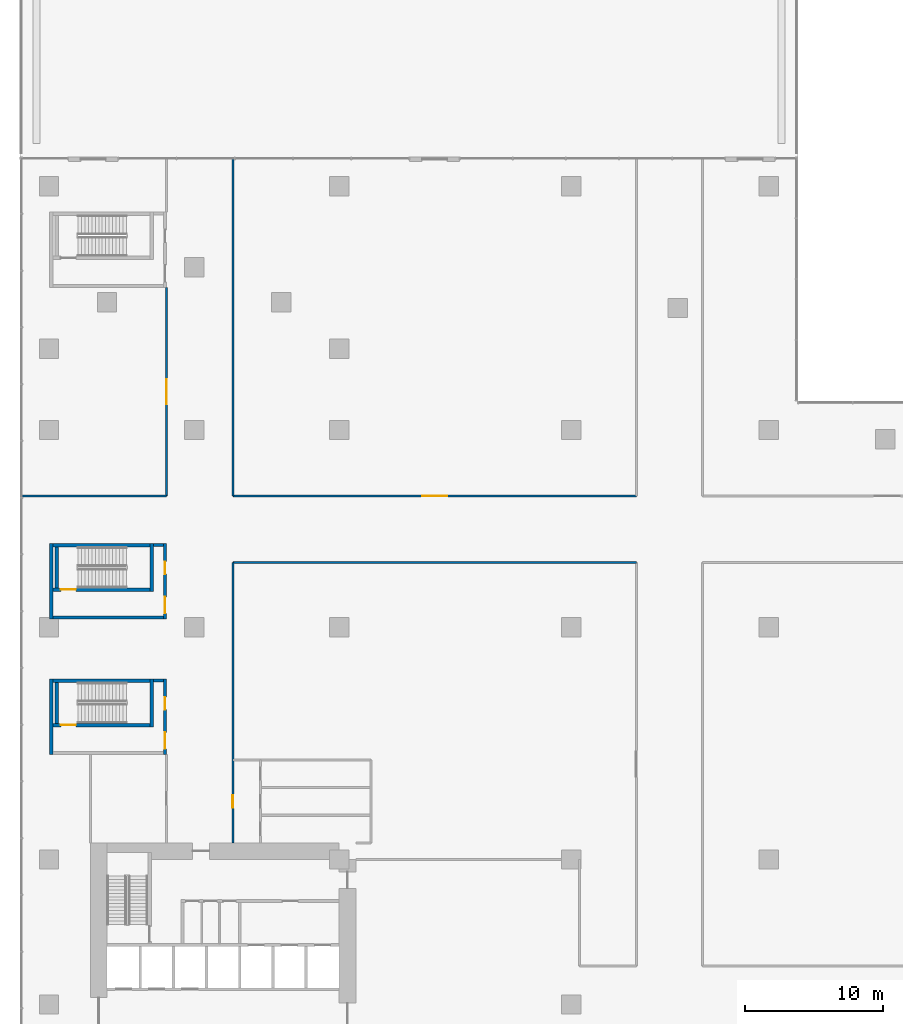
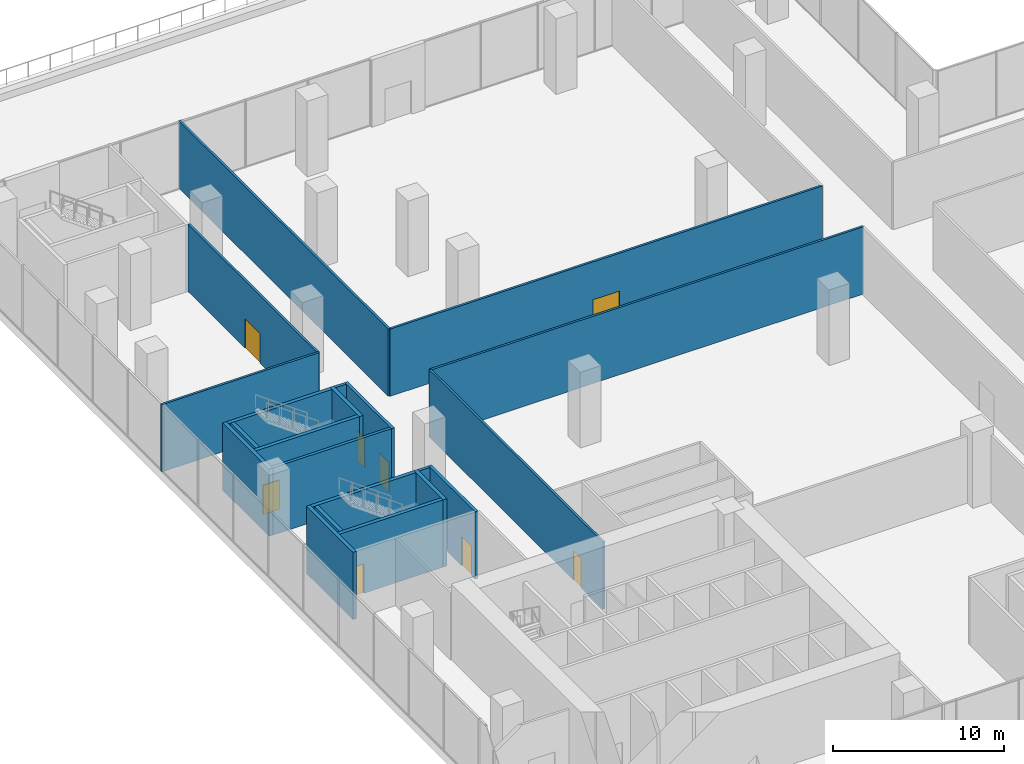
# One storey, part 16 of 24: 21 walls, 9 doors, 9 openings.
"""IFC4 building model written with IfcOpenShell, lengths in metres."""

from ifc_helpers import new_model, si_unit, direction, frame, frame_2d, origin, place, context, subcontext, project, spatial, rectangle, extrude, source, transform, mapped, material, layer, layer_set, type_object, element, fill, save


model = new_model("IFC4")

# Units and contexts
model_context = context("Model", 3, precision=1e-05, world=origin(), true_north=direction((0.0, 1.0)))
body_context = subcontext(model_context, "Body", "Model", "MODEL_VIEW")
ifc_project = project(units=[si_unit("LENGTHUNIT", "METRE"), si_unit("AREAUNIT", "SQUARE_METRE"), si_unit("VOLUMEUNIT", "CUBIC_METRE"), si_unit("PLANEANGLEUNIT", "RADIAN"), si_unit("MASSUNIT", "GRAM", prefix="KILO")], contexts=[model_context])

# Site, building, storey
site_placement = place(None, origin())
site = spatial("IfcSite", under=ifc_project, at=site_placement, CompositionType="ELEMENT")
building_placement = place(site_placement, origin())
building = spatial("IfcBuilding", under=site, at=building_placement, Name="Aurelian Terraces", CompositionType="ELEMENT")
storey_placement = place(building_placement, frame((0.0, 0.0, 12.9)))
storey = spatial("IfcBuildingStorey", under=building, at=storey_placement, Name="L02", CompositionType="ELEMENT", Elevation=12.9)

# Wall
ifc_material_1 = material(Name="Gypsum board on steel studs", Category="steel")
ifc_layer_1 = layer(ifc_material_1, 0.15)
ifc_layer_set_1 = layer_set([ifc_layer_1], Name="Special partition 150")
wall_type_1 = type_object("IfcWallType", Name="Special partition 150", PredefinedType="PARTITIONING", material=ifc_layer_set_1)
wall_1_placement = place(storey_placement, frame((13.3, 47.3, 0.0), z_axis=(0.0, 0.0, 1.0), x_axis=(0.0, 1.0, 0.0)))
element("IfcWall", 1, at=wall_1_placement, inside=storey, type_object=wall_type_1, Name="L02 partition W25", PredefinedType="PARTITIONING", context=body_context, shape_type="SweptSolid", body=[
    extrude(rectangle(XDim=24.52, YDim=0.15, at=frame_2d((12.26, 0.0))), origin(), (0.0, 0.0, 1.0), 4.8),
])

# Wall, opening, door
ifc_material_2 = material(Name="Concrete fc' 40 MPa", Category="concrete")
ifc_layer_2 = layer(ifc_material_2, 0.25)
ifc_layer_set_2 = layer_set([ifc_layer_2], Name="Stair enclosure wall 250")
wall_type_2 = type_object("IfcWallType", Name="Stair enclosure wall 250", PredefinedType="SOLIDWALL", material=ifc_layer_set_2)
shared_shape_1 = source(origin(), body_context, "Body", "SweptSolid", [
    extrude(rectangle(XDim=7.0, YDim=0.25, at=frame_2d((3.5, 0.0))), origin(), (0.0, 0.0, 1.0), 4.8),
])
wall_2_placement = place(storey_placement, frame((0.3, 40.525, 0.0), z_axis=(0.0, 0.0, 1.0), x_axis=(1.0, 0.0, 0.0)))
wall_2 = element("IfcWall", 2, at=wall_2_placement, inside=storey, type_object=wall_type_2, Name="L02 core wall ST-S3-W", PredefinedType="SOLIDWALL", context=body_context, shape_type="MappedRepresentation", body=[
    mapped(shared_shape_1, transform((0.0, 0.0, 0.0), scale=1.0)),
])
shared_shape_2 = source(origin(), body_context, "Body", "SweptSolid", [
    extrude(rectangle(XDim=1.1, YDim=2.1, at=frame_2d((0.55, 1.05))), frame((0.0, 0.135, 0.0), z_axis=(0.0, -1.0, 0.0), x_axis=(1.0, 0.0, 0.0)), (0.0, 0.0, 1.0), 0.27),
])
opening_1_placement = place(wall_2_placement, frame((0.55, 0.0, 0.0)))
opening_1 = element("IfcOpeningElement", 3, at=opening_1_placement, cuts=wall_2, Name="Opening 60518", PredefinedType="OPENING", context=body_context, shape_type="MappedRepresentation", body=[
    mapped(shared_shape_2, transform((0.0, 0.0, 0.0), scale=1.0)),
])
ifc_material_3 = material(Name="Steel door leaf", Category="steel")
door_type_1 = type_object("IfcDoorType", Name="Core fire door 1100x2100 right", OperationType="SINGLE_SWING_RIGHT", PredefinedType="DOOR", material=ifc_material_3)
shared_shape_3 = source(origin(), body_context, "Body", "SweptSolid", [
    extrude(rectangle(XDim=1.1, YDim=2.1, at=frame_2d((0.55, 1.05))), frame((0.0, 0.025, 0.0), z_axis=(0.0, -1.0, 0.0), x_axis=(1.0, 0.0, 0.0)), (0.0, 0.0, 1.0), 0.05),
])
door_1_placement = place(opening_1_placement, origin())
door_1 = element("IfcDoor", 4, at=door_1_placement, inside=storey, type_object=door_type_1, Name="Stair door 60518", OperationType="SINGLE_SWING_RIGHT", OverallHeight=2.1, OverallWidth=1.1, PredefinedType="DOOR", context=body_context, shape_type="MappedRepresentation", body=[
    mapped(shared_shape_3, transform((0.0, 0.0, 0.0), scale=1.0)),
])
fill(opening_1, door_1)

# Wall
wall_3_placement = place(storey_placement, frame((0.3, 43.725, 0.0), z_axis=(0.0, 0.0, 1.0), x_axis=(1.0, 0.0, 0.0)))
element("IfcWall", 5, at=wall_3_placement, inside=storey, type_object=wall_type_2, Name="L02 core wall ST-S3-E", PredefinedType="SOLIDWALL", context=body_context, shape_type="MappedRepresentation", body=[
    mapped(shared_shape_1, transform((0.0, 0.0, 0.0), scale=1.0)),
])

# Wall, opening, door
wall_4_placement = place(storey_placement, frame((0.3, 30.725, 0.0), z_axis=(0.0, 0.0, 1.0), x_axis=(1.0, 0.0, 0.0)))
wall_4 = element("IfcWall", 6, at=wall_4_placement, inside=storey, type_object=wall_type_2, Name="L02 core wall ST-S4-W", PredefinedType="SOLIDWALL", context=body_context, shape_type="MappedRepresentation", body=[
    mapped(shared_shape_1, transform((0.0, 0.0, 0.0), scale=1.0)),
])
opening_2_placement = place(wall_4_placement, frame((0.55, 0.0, 0.0)))
opening_2 = element("IfcOpeningElement", 7, at=opening_2_placement, cuts=wall_4, Name="Opening 60521", PredefinedType="OPENING", context=body_context, shape_type="MappedRepresentation", body=[
    mapped(shared_shape_2, transform((0.0, 0.0, 0.0), scale=1.0)),
])
door_type_2 = type_object("IfcDoorType", Name="Core fire door 1100x2100", OperationType="SINGLE_SWING_LEFT", PredefinedType="DOOR", material=ifc_material_3)
door_2_placement = place(opening_2_placement, origin())
door_2 = element("IfcDoor", 8, at=door_2_placement, inside=storey, type_object=door_type_2, Name="Stair door 60521", OperationType="SINGLE_SWING_LEFT", OverallHeight=2.1, OverallWidth=1.1, PredefinedType="DOOR", context=body_context, shape_type="MappedRepresentation", body=[
    mapped(shared_shape_3, transform((0.0, 0.0, 0.0), scale=1.0)),
])
fill(opening_2, door_2)

# Walls
wall_5_placement = place(storey_placement, frame((0.3, 33.925, 0.0), z_axis=(0.0, 0.0, 1.0), x_axis=(1.0, 0.0, 0.0)))
element("IfcWall", 9, at=wall_5_placement, inside=storey, type_object=wall_type_2, Name="L02 core wall ST-S4-E", PredefinedType="SOLIDWALL", context=body_context, shape_type="MappedRepresentation", body=[
    mapped(shared_shape_1, transform((0.0, 0.0, 0.0), scale=1.0)),
])
shared_shape_4 = source(origin(), body_context, "Body", "SweptSolid", [
    extrude(rectangle(XDim=3.45, YDim=0.25, at=frame_2d((1.725, 0.0))), origin(), (0.0, 0.0, 1.0), 4.8),
])
for number, where, z_axis, x_axis, name in (
    (10, (7.425, 40.4, 0.0), (0.0, 0.0, 1.0), (0.0, 1.0, 0.0), "L02 core wall ST-S3-N"),
    (11, (7.425, 30.6, 0.0), (0.0, 0.0, 1.0), (0.0, 1.0, 0.0), "L02 core wall ST-S4-N"),
):
    element("IfcWall", number, at=place(storey_placement, frame(where, z_axis=z_axis, x_axis=x_axis)), inside=storey, type_object=wall_type_2, Name=name, PredefinedType="SOLIDWALL", context=body_context, shape_type="MappedRepresentation", body=[
        mapped(shared_shape_4, transform((0.0, 0.0, 0.0), scale=1.0)),
    ])
shared_shape_5 = source(origin(), body_context, "Body", "SweptSolid", [
    extrude(rectangle(XDim=2.95, YDim=0.25, at=frame_2d((1.475, 0.0))), origin(), (0.0, 0.0, 1.0), 4.8),
])
for number, where, z_axis, x_axis, name in (
    (12, (0.575, 40.65, 0.0), (0.0, 0.0, 1.0), (0.0, 1.0, 0.0), "L02 core wall ST-S3-SS"),
    (13, (0.575, 30.85, 0.0), (0.0, 0.0, 1.0), (0.0, 1.0, 0.0), "L02 core wall ST-S4-SS"),
):
    element("IfcWall", number, at=place(storey_placement, frame(where, z_axis=z_axis, x_axis=x_axis)), inside=storey, type_object=wall_type_2, Name=name, PredefinedType="SOLIDWALL", context=body_context, shape_type="MappedRepresentation", body=[
        mapped(shared_shape_5, transform((0.0, 0.0, 0.0), scale=1.0)),
    ])
ifc_layer_3 = layer(ifc_material_1, 0.2)
ifc_layer_set_3 = layer_set([ifc_layer_3], Name="Core partition 200")
wall_type_3 = type_object("IfcWallType", Name="Core partition 200", PredefinedType="PARTITIONING", material=ifc_layer_set_3)
shared_shape_6 = source(origin(), body_context, "Body", "SweptSolid", [
    extrude(rectangle(XDim=8.0, YDim=0.2, at=frame_2d((4.0, 0.0))), origin(), (0.0, 0.0, 1.0), 4.8),
])
wall_6_placement = place(storey_placement, frame((0.3, 38.5, 0.0), z_axis=(0.0, 0.0, 1.0), x_axis=(1.0, 0.0, 0.0)))
element("IfcWall", 14, at=wall_6_placement, inside=storey, type_object=wall_type_3, Name="L02 core wall ST-S3-VW", PredefinedType="PARTITIONING", context=body_context, shape_type="MappedRepresentation", body=[
    mapped(shared_shape_6, transform((0.0, 0.0, 0.0), scale=1.0)),
])

# Wall, openings, doors
shared_shape_7 = source(origin(), body_context, "Body", "SweptSolid", [
    extrude(rectangle(XDim=5.45, YDim=0.2, at=frame_2d((2.725, 0.0))), origin(), (0.0, 0.0, 1.0), 4.8),
])
wall_7_placement = place(storey_placement, frame((8.4, 38.4, 0.0), z_axis=(0.0, 0.0, 1.0), x_axis=(0.0, 1.0, 0.0)))
wall_7 = element("IfcWall", 15, at=wall_7_placement, inside=storey, type_object=wall_type_3, Name="L02 core wall ST-S3-BN", PredefinedType="PARTITIONING", context=body_context, shape_type="MappedRepresentation", body=[
    mapped(shared_shape_7, transform((0.0, 0.0, 0.0), scale=1.0)),
])
shared_shape_8 = source(origin(), body_context, "Body", "SweptSolid", [
    extrude(rectangle(XDim=1.2, YDim=2.1, at=frame_2d((0.6, 1.05))), frame((0.0, 0.11, 0.0), z_axis=(0.0, -1.0, 0.0), x_axis=(1.0, 0.0, 0.0)), (0.0, 0.0, 1.0), 0.22),
])
opening_3_placement = place(wall_7_placement, frame((0.4, 0.0, 0.0)))
opening_3 = element("IfcOpeningElement", 16, at=opening_3_placement, cuts=wall_7, Name="Opening 60519", PredefinedType="OPENING", context=body_context, shape_type="MappedRepresentation", body=[
    mapped(shared_shape_8, transform((0.0, 0.0, 0.0), scale=1.0)),
])
shared_shape_9 = source(origin(), body_context, "Body", "SweptSolid", [
    extrude(rectangle(XDim=0.9, YDim=2.1, at=frame_2d((0.45, 1.05))), frame((0.0, 0.11, 0.0), z_axis=(0.0, -1.0, 0.0), x_axis=(1.0, 0.0, 0.0)), (0.0, 0.0, 1.0), 0.22),
])
opening_4_placement = place(wall_7_placement, frame((3.25, 0.0, 0.0)))
opening_4 = element("IfcOpeningElement", 17, at=opening_4_placement, cuts=wall_7, Name="Opening 60520", PredefinedType="OPENING", context=body_context, shape_type="MappedRepresentation", body=[
    mapped(shared_shape_9, transform((0.0, 0.0, 0.0), scale=1.0)),
])
door_type_3 = type_object("IfcDoorType", Name="Core riser door 900x2100 right", OperationType="SINGLE_SWING_RIGHT", PredefinedType="DOOR", material=ifc_material_3)
shared_shape_10 = source(origin(), body_context, "Body", "SweptSolid", [
    extrude(rectangle(XDim=0.9, YDim=2.1, at=frame_2d((0.45, 1.05))), frame((0.0, 0.025, 0.0), z_axis=(0.0, -1.0, 0.0), x_axis=(1.0, 0.0, 0.0)), (0.0, 0.0, 1.0), 0.05),
])
door_3_placement = place(opening_4_placement, origin())
door_3 = element("IfcDoor", 18, at=door_3_placement, inside=storey, type_object=door_type_3, Name="Riser door 60520", OperationType="SINGLE_SWING_RIGHT", OverallHeight=2.1, OverallWidth=0.9, PredefinedType="DOOR", context=body_context, shape_type="MappedRepresentation", body=[
    mapped(shared_shape_10, transform((0.0, 0.0, 0.0), scale=1.0)),
])
fill(opening_4, door_3)
door_type_4 = type_object("IfcDoorType", Name="Core fire door 1200x2100", OperationType="SINGLE_SWING_LEFT", PredefinedType="DOOR", material=ifc_material_3)
shared_shape_11 = source(origin(), body_context, "Body", "SweptSolid", [
    extrude(rectangle(XDim=1.2, YDim=2.1, at=frame_2d((0.6, 1.05))), frame((0.0, 0.025, 0.0), z_axis=(0.0, -1.0, 0.0), x_axis=(1.0, 0.0, 0.0)), (0.0, 0.0, 1.0), 0.05),
])
door_4_placement = place(opening_3_placement, origin())
door_4 = element("IfcDoor", 19, at=door_4_placement, inside=storey, type_object=door_type_4, Name="Vestibule door 60519", OperationType="SINGLE_SWING_LEFT", OverallHeight=2.1, OverallWidth=1.2, PredefinedType="DOOR", context=body_context, shape_type="MappedRepresentation", body=[
    mapped(shared_shape_11, transform((0.0, 0.0, 0.0), scale=1.0)),
])
fill(opening_3, door_4)

wall_8_placement = place(storey_placement, frame((8.4, 28.6, 0.0), z_axis=(0.0, 0.0, 1.0), x_axis=(0.0, 1.0, 0.0)))
wall_8 = element("IfcWall", 20, at=wall_8_placement, inside=storey, type_object=wall_type_3, Name="L02 core wall ST-S4-BN", PredefinedType="PARTITIONING", context=body_context, shape_type="MappedRepresentation", body=[
    mapped(shared_shape_7, transform((0.0, 0.0, 0.0), scale=1.0)),
])
opening_5_placement = place(wall_8_placement, frame((0.4, 0.0, 0.0)))
opening_5 = element("IfcOpeningElement", 21, at=opening_5_placement, cuts=wall_8, Name="Opening 60522", PredefinedType="OPENING", context=body_context, shape_type="MappedRepresentation", body=[
    mapped(shared_shape_8, transform((0.0, 0.0, 0.0), scale=1.0)),
])
opening_6_placement = place(wall_8_placement, frame((3.25, 0.0, 0.0)))
opening_6 = element("IfcOpeningElement", 22, at=opening_6_placement, cuts=wall_8, Name="Opening 60523", PredefinedType="OPENING", context=body_context, shape_type="MappedRepresentation", body=[
    mapped(shared_shape_9, transform((0.0, 0.0, 0.0), scale=1.0)),
])
door_type_5 = type_object("IfcDoorType", Name="Core riser door 900x2100", OperationType="SINGLE_SWING_LEFT", PredefinedType="DOOR", material=ifc_material_3)
door_5_placement = place(opening_6_placement, origin())
door_5 = element("IfcDoor", 23, at=door_5_placement, inside=storey, type_object=door_type_5, Name="Riser door 60523", OperationType="SINGLE_SWING_LEFT", OverallHeight=2.1, OverallWidth=0.9, PredefinedType="DOOR", context=body_context, shape_type="MappedRepresentation", body=[
    mapped(shared_shape_10, transform((0.0, 0.0, 0.0), scale=1.0)),
])
fill(opening_6, door_5)
door_type_6 = type_object("IfcDoorType", Name="Core fire door 1200x2100 right", OperationType="SINGLE_SWING_RIGHT", PredefinedType="DOOR", material=ifc_material_3)
door_6_placement = place(opening_5_placement, origin())
door_6 = element("IfcDoor", 24, at=door_6_placement, inside=storey, type_object=door_type_6, Name="Vestibule door 60522", OperationType="SINGLE_SWING_RIGHT", OverallHeight=2.1, OverallWidth=1.2, PredefinedType="DOOR", context=body_context, shape_type="MappedRepresentation", body=[
    mapped(shared_shape_11, transform((0.0, 0.0, 0.0), scale=1.0)),
])
fill(opening_5, door_6)

# Walls
shared_shape_12 = source(origin(), body_context, "Body", "SweptSolid", [
    extrude(rectangle(XDim=0.75, YDim=0.2, at=frame_2d((0.375, 0.0))), origin(), (0.0, 0.0, 1.0), 4.8),
])
for number, where, z_axis, x_axis, name in (
    (25, (7.55, 43.75, 0.0), (0.0, 0.0, 1.0), (1.0, 0.0, 0.0), "L02 core wall ST-S3-RE"),
    (26, (7.55, 33.95, 0.0), (0.0, 0.0, 1.0), (1.0, 0.0, 0.0), "L02 core wall ST-S4-RE"),
):
    element("IfcWall", number, at=place(storey_placement, frame(where, z_axis=z_axis, x_axis=x_axis)), inside=storey, type_object=wall_type_3, Name=name, PredefinedType="PARTITIONING", context=body_context, shape_type="MappedRepresentation", body=[
        mapped(shared_shape_12, transform((0.0, 0.0, 0.0), scale=1.0)),
    ])
shared_shape_13 = source(origin(), body_context, "Body", "SweptSolid", [
    extrude(rectangle(XDim=5.45, YDim=0.25, at=frame_2d((2.725, 0.0))), origin(), (0.0, 0.0, 1.0), 4.8),
])
for number, where, z_axis, x_axis, name in (
    (27, (0.175, 38.4, 0.0), (0.0, 0.0, 1.0), (0.0, 1.0, 0.0), "L02 core wall ST-S3-S"),
    (28, (0.175, 28.6, 0.0), (0.0, 0.0, 1.0), (0.0, 1.0, 0.0), "L02 core wall ST-S4-S"),
):
    element("IfcWall", number, at=place(storey_placement, frame(where, z_axis=z_axis, x_axis=x_axis)), inside=storey, type_object=wall_type_2, Name=name, PredefinedType="SOLIDWALL", context=body_context, shape_type="MappedRepresentation", body=[
        mapped(shared_shape_13, transform((0.0, 0.0, 0.0), scale=1.0)),
    ])
shared_shape_14 = source(origin(), body_context, "Body", "SweptSolid", [
    extrude(rectangle(XDim=29.2, YDim=0.15, at=frame_2d((14.6, 0.0))), origin(), (0.0, 0.0, 1.0), 4.8),
])
wall_9_placement = place(storey_placement, frame((13.3, 42.5, 0.0), z_axis=(0.0, 0.0, 1.0), x_axis=(1.0, 0.0, 0.0)))
element("IfcWall", 29, at=wall_9_placement, inside=storey, type_object=wall_type_1, Name="L02 partition W13", PredefinedType="PARTITIONING", context=body_context, shape_type="MappedRepresentation", body=[
    mapped(shared_shape_14, transform((0.0, 0.0, 0.0), scale=1.0)),
])

# Wall, opening, door
wall_10_placement = place(storey_placement, frame((13.3, 47.3, 0.0), z_axis=(0.0, 0.0, 1.0), x_axis=(1.0, 0.0, 0.0)))
wall_10 = element("IfcWall", 30, at=wall_10_placement, inside=storey, type_object=wall_type_1, Name="L02 partition W17", PredefinedType="PARTITIONING", context=body_context, shape_type="MappedRepresentation", body=[
    mapped(shared_shape_14, transform((0.0, 0.0, 0.0), scale=1.0)),
])
shared_shape_15 = source(origin(), body_context, "Body", "SweptSolid", [
    extrude(rectangle(XDim=1.8, YDim=2.1, at=frame_2d((0.9, 1.05))), frame((0.0, 0.085, 0.0), z_axis=(0.0, -1.0, 0.0), x_axis=(1.0, 0.0, 0.0)), (0.0, 0.0, 1.0), 0.17),
])
opening_7_placement = place(wall_10_placement, frame((13.7, 0.0, 0.0)))
opening_7 = element("IfcOpeningElement", 31, at=opening_7_placement, cuts=wall_10, Name="Opening 70503", PredefinedType="OPENING", context=body_context, shape_type="MappedRepresentation", body=[
    mapped(shared_shape_15, transform((0.0, 0.0, 0.0), scale=1.0)),
])
ifc_material_4 = material(Name="Timber door leaf", Category="wood")
door_type_7 = type_object("IfcDoorType", Name="Special double door 1800x2100", OperationType="DOUBLE_DOOR_SINGLE_SWING", PredefinedType="DOOR", material=ifc_material_4)
shared_shape_16 = source(origin(), body_context, "Body", "SweptSolid", [
    extrude(rectangle(XDim=1.8, YDim=2.1, at=frame_2d((0.9, 1.05))), frame((0.0, 0.025, 0.0), z_axis=(0.0, -1.0, 0.0), x_axis=(1.0, 0.0, 0.0)), (0.0, 0.0, 1.0), 0.05),
])
door_7_placement = place(opening_7_placement, origin())
door_7 = element("IfcDoor", 32, at=door_7_placement, inside=storey, type_object=door_type_7, Name="Door 70503", OperationType="DOUBLE_DOOR_SINGLE_SWING", OverallHeight=2.1, OverallWidth=1.8, PredefinedType="DOOR", context=body_context, shape_type="MappedRepresentation", body=[
    mapped(shared_shape_16, transform((0.0, 0.0, 0.0), scale=1.0)),
])
fill(opening_7, door_7)

# Wall
shared_shape_17 = source(origin(), body_context, "Body", "SweptSolid", [
    extrude(rectangle(XDim=10.6, YDim=0.15, at=frame_2d((5.3, 0.0))), origin(), (0.0, 0.0, 1.0), 4.8),
])
wall_11_placement = place(storey_placement, frame((-2.1, 47.3, 0.0), z_axis=(0.0, 0.0, 1.0), x_axis=(1.0, 0.0, 0.0)))
element("IfcWall", 33, at=wall_11_placement, inside=storey, type_object=wall_type_1, Name="L02 partition W16", PredefinedType="PARTITIONING", context=body_context, shape_type="MappedRepresentation", body=[
    mapped(shared_shape_17, transform((0.0, 0.0, 0.0), scale=1.0)),
])

# Wall, opening, door
shared_shape_18 = source(origin(), body_context, "Body", "SweptSolid", [
    extrude(rectangle(XDim=15.1, YDim=0.15, at=frame_2d((7.55, 0.0))), origin(), (0.0, 0.0, 1.0), 4.8),
])
wall_12_placement = place(storey_placement, frame((8.5, 47.3, 0.0), z_axis=(0.0, 0.0, 1.0), x_axis=(0.0, 1.0, 0.0)))
wall_12 = element("IfcWall", 34, at=wall_12_placement, inside=storey, type_object=wall_type_1, Name="L02 partition W22", PredefinedType="PARTITIONING", context=body_context, shape_type="MappedRepresentation", body=[
    mapped(shared_shape_18, transform((0.0, 0.0, 0.0), scale=1.0)),
])
opening_8_placement = place(wall_12_placement, frame((6.65, 0.0, 0.0)))
opening_8 = element("IfcOpeningElement", 35, at=opening_8_placement, cuts=wall_12, Name="Opening 70507", PredefinedType="OPENING", context=body_context, shape_type="MappedRepresentation", body=[
    mapped(shared_shape_15, transform((0.0, 0.0, 0.0), scale=1.0)),
])
door_8_placement = place(opening_8_placement, origin())
door_8 = element("IfcDoor", 36, at=door_8_placement, inside=storey, type_object=door_type_7, Name="Door 70507", OperationType="DOUBLE_DOOR_SINGLE_SWING", OverallHeight=2.1, OverallWidth=1.8, PredefinedType="DOOR", context=body_context, shape_type="MappedRepresentation", body=[
    mapped(shared_shape_16, transform((0.0, 0.0, 0.0), scale=1.0)),
])
fill(opening_8, door_8)

shared_shape_19 = source(origin(), body_context, "Body", "SweptSolid", [
    extrude(rectangle(XDim=20.3, YDim=0.15, at=frame_2d((10.15, 0.0))), origin(), (0.0, 0.0, 1.0), 4.8),
])
wall_13_placement = place(storey_placement, frame((13.3, 22.2, 0.0), z_axis=(0.0, 0.0, 1.0), x_axis=(0.0, 1.0, 0.0)))
wall_13 = element("IfcWall", 37, at=wall_13_placement, inside=storey, type_object=wall_type_1, Name="L02 partition W24", PredefinedType="PARTITIONING", context=body_context, shape_type="MappedRepresentation", body=[
    mapped(shared_shape_19, transform((0.0, 0.0, 0.0), scale=1.0)),
])
shared_shape_20 = source(origin(), body_context, "Body", "SweptSolid", [
    extrude(rectangle(XDim=0.9, YDim=2.1, at=frame_2d((0.45, 1.05))), frame((0.0, 0.085, 0.0), z_axis=(0.0, -1.0, 0.0), x_axis=(1.0, 0.0, 0.0)), (0.0, 0.0, 1.0), 0.17),
])
opening_9_placement = place(wall_13_placement, frame((2.55, 0.0, 0.0)))
opening_9 = element("IfcOpeningElement", 38, at=opening_9_placement, cuts=wall_13, Name="Opening 70508", PredefinedType="OPENING", context=body_context, shape_type="MappedRepresentation", body=[
    mapped(shared_shape_20, transform((0.0, 0.0, 0.0), scale=1.0)),
])
door_type_8 = type_object("IfcDoorType", Name="Special door 900x2100 right", OperationType="SINGLE_SWING_RIGHT", PredefinedType="DOOR", material=ifc_material_4)
door_9_placement = place(opening_9_placement, origin())
door_9 = element("IfcDoor", 39, at=door_9_placement, inside=storey, type_object=door_type_8, Name="Door 70508", OperationType="SINGLE_SWING_RIGHT", OverallHeight=2.1, OverallWidth=0.9, PredefinedType="DOOR", context=body_context, shape_type="MappedRepresentation", body=[
    mapped(shared_shape_10, transform((0.0, 0.0, 0.0), scale=1.0)),
])
fill(opening_9, door_9)

save(model, "model.ifc")
